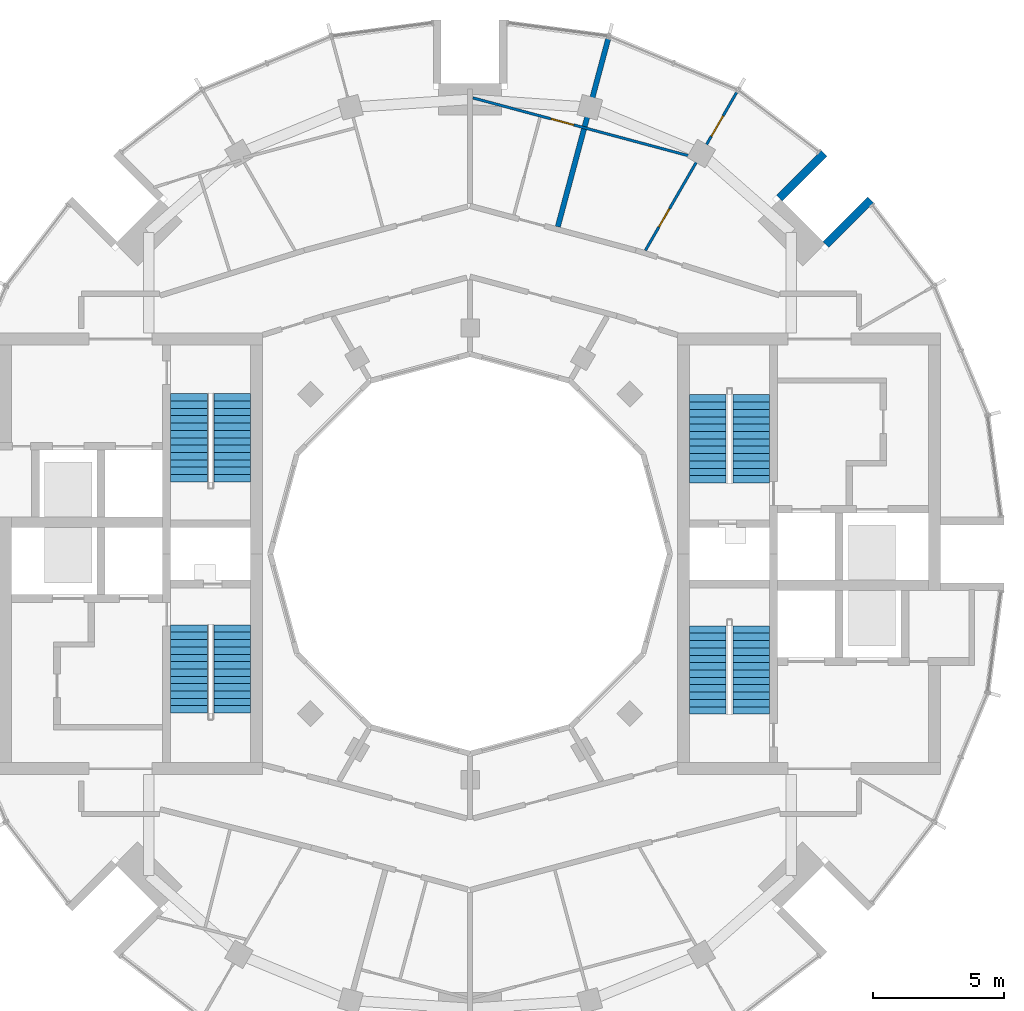
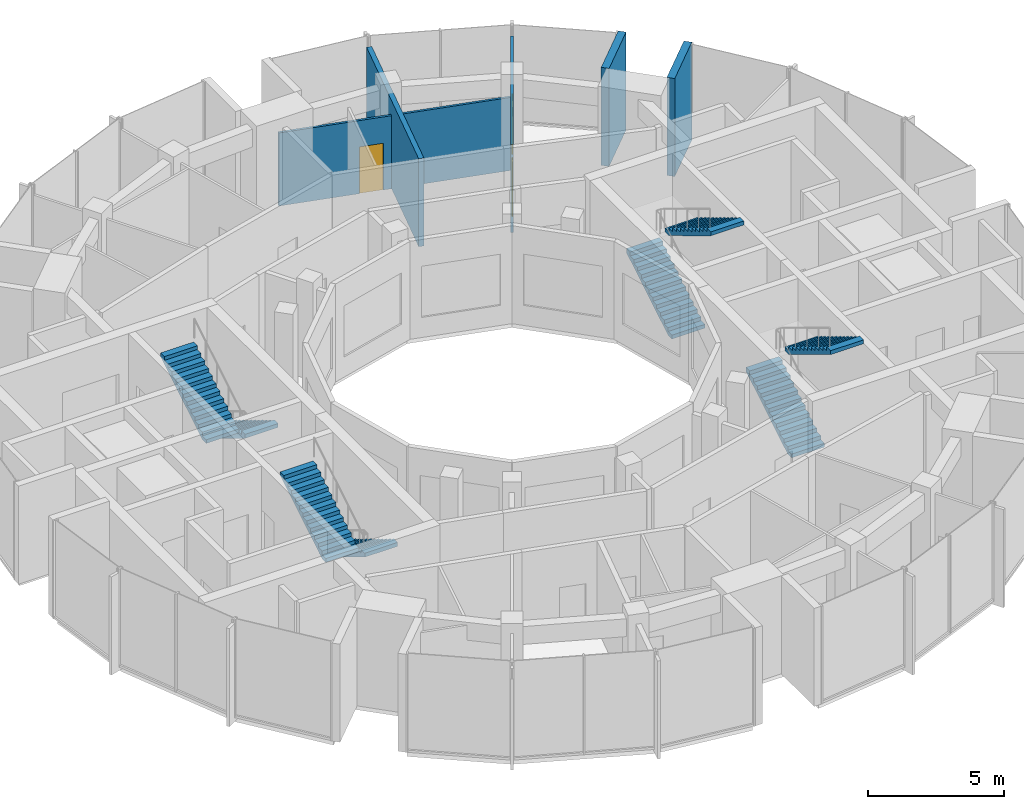
# One storey, part 11 of 13: 8 stair flights, 5 walls, 3 doors, 3 openings, 4 elements without a shape of their own.
"""IFC4 building model written with IfcOpenShell, lengths in metres."""

from ifc_helpers import new_model, si_unit, direction, frame, frame_2d, origin, place, context, subcontext, project, spatial, polyline, rectangle, outline, extrude, material, layer, layer_set, type_object, element, fill, aggregate, save


model = new_model("IFC4")

# Units and contexts
model_context = context("Model", 3, precision=1e-05, world=origin(), true_north=direction((0.0, 1.0)))
body_context = subcontext(model_context, "Body", "Model", "MODEL_VIEW")
ifc_project = project(units=[si_unit("LENGTHUNIT", "METRE"), si_unit("AREAUNIT", "SQUARE_METRE"), si_unit("VOLUMEUNIT", "CUBIC_METRE"), si_unit("PLANEANGLEUNIT", "RADIAN"), si_unit("MASSUNIT", "GRAM", prefix="KILO")], contexts=[model_context])

# Site, building, storey
site_placement = place(None, origin())
site = spatial("IfcSite", under=ifc_project, at=site_placement, CompositionType="ELEMENT")
building_placement = place(site_placement, origin())
building = spatial("IfcBuilding", under=site, at=building_placement, Name="Torre Brocal", CompositionType="ELEMENT")
storey_placement = place(building_placement, frame((0.0, 0.0, 319.300048828125)))
storey = spatial("IfcBuildingStorey", under=building, at=storey_placement, Name="L73", CompositionType="ELEMENT", Elevation=319.300048828125)

# Walls
ifc_material_1 = material(Name="Concrete C50", Category="concrete")
ifc_layer_1 = layer(ifc_material_1, 0.300048828125)
ifc_layer_set_1 = layer_set([ifc_layer_1], Name="Concrete C50")
wall_type_1 = type_object("IfcWallType", Name="NOTCH RETURN WALL 300 C50", PredefinedType="NOTDEFINED", material=ifc_layer_set_1)
for number, where, z_axis, x_axis, name in (
    (1, (93.541015625, 86.7734375, 0.0), (0.0, 0.0, 1.0), (0.707157312274, 0.707056246487, 0.0), "NOTCH RETURN WALL"),
    (2, (91.7734375, 88.541015625, 0.0), (0.0, 0.0, 1.0), (0.707056246487, 0.707157312274, 0.0), "NOTCH RETURN WALL"),
):
    element("IfcWall", number, at=place(storey_placement, frame(where, z_axis=z_axis, x_axis=x_axis)), inside=storey, type_object=wall_type_1, Name=name, PredefinedType="NOTDEFINED", context=body_context, shape_type="SweptSolid", body=[
        extrude(rectangle(XDim=2.415771484375, YDim=0.300048828125, at=frame_2d((1.2080078125, 0.0))), origin(), (0.0, 0.0, 1.0), 4.39990234375),
    ])

# Wall, openings, doors
ifc_material_2 = material(Name="Gypsum board", Category="Gypsum")
ifc_layer_2 = layer(ifc_material_2, 0.10009765625)
ifc_layer_set_2 = layer_set([ifc_layer_2], Name="Gypsum board")
wall_type_2 = type_object("IfcWallType", Name="PARTITION 100", PredefinedType="PARTITIONING", material=ifc_layer_set_2)
wall_1_placement = place(storey_placement, frame((86.6728515625, 86.55322265625, 0.0), z_axis=(0.0, 0.0, 1.0), x_axis=(0.500103298341, 0.865965756245, 0.0)))
wall_1 = element("IfcWall", 3, at=wall_1_placement, inside=storey, type_object=wall_type_2, Name="BATHROOM WALL", PredefinedType="PARTITIONING", context=body_context, shape_type="SweptSolid", body=[
    extrude(rectangle(XDim=6.95458984375, YDim=0.10009765625, at=frame_2d((3.477294921875, 0.0))), origin(), (0.0, 0.0, 1.0), 3.949951171875),
])
opening_1_placement = place(wall_1_placement, frame((5.0146484375, 0.0, 0.0)))
opening_1 = element("IfcOpeningElement", 4, at=opening_1_placement, cuts=wall_1, Name="Opening N05-D02", PredefinedType="OPENING", context=body_context, shape_type="SweptSolid", body=[
    extrude(rectangle(XDim=0.89990234375, YDim=2.10009765625, at=frame_2d((0.449951171875, 1.050048828125))), frame((0.0, 0.06005859375, 0.0), z_axis=(0.0, -1.0, 0.0), x_axis=(1.0, 0.0, 0.0)), (0.0, 0.0, 1.0), 0.1201171875),
])
opening_2_placement = place(wall_1_placement, frame((1.027587890625, 0.0, 0.0)))
opening_2 = element("IfcOpeningElement", 5, at=opening_2_placement, cuts=wall_1, Name="Opening N05-D03", PredefinedType="OPENING", context=body_context, shape_type="SweptSolid", body=[
    extrude(rectangle(XDim=0.800048828125, YDim=2.10009765625, at=frame_2d((0.39990234375, 1.050048828125))), frame((0.0, 0.06005859375, 0.0), z_axis=(0.0, -1.0, 0.0), x_axis=(1.0, 0.0, 0.0)), (0.0, 0.0, 1.0), 0.1201171875),
])
ifc_material_3 = material(Name="Timber", Category="wood")
door_type_1 = type_object("IfcDoorType", Name="BATHROOM DOOR 800X2100", OperationType="SINGLE_SWING_LEFT", PredefinedType="DOOR", material=ifc_material_3)
door_1_placement = place(opening_2_placement, origin())
door_1 = element("IfcDoor", 6, at=door_1_placement, inside=storey, type_object=door_type_1, Name="N05-D03", OperationType="SINGLE_SWING_LEFT", OverallHeight=2.10009765625, OverallWidth=0.800048828125, PredefinedType="DOOR", context=body_context, shape_type="SweptSolid", body=[
    extrude(rectangle(XDim=0.800048828125, YDim=2.10009765625, at=frame_2d((0.39990234375, 1.050048828125))), frame((0.0, 0.02490234375, 0.0), z_axis=(0.0, -1.0, 0.0), x_axis=(1.0, 0.0, 0.0)), (0.0, 0.0, 1.0), 0.050048828125),
])
fill(opening_2, door_1)
ifc_material_4 = material(Name="Timber", Category="wood")
door_type_2 = type_object("IfcDoorType", Name="ROOM DOOR 900X2100", OperationType="SINGLE_SWING_LEFT", PredefinedType="DOOR", material=ifc_material_4)
door_2_placement = place(opening_1_placement, origin())
door_2 = element("IfcDoor", 7, at=door_2_placement, inside=storey, type_object=door_type_2, Name="N05-D02", OperationType="SINGLE_SWING_LEFT", OverallHeight=2.10009765625, OverallWidth=0.89990234375, PredefinedType="DOOR", context=body_context, shape_type="SweptSolid", body=[
    extrude(rectangle(XDim=0.89990234375, YDim=2.10009765625, at=frame_2d((0.449951171875, 1.050048828125))), frame((0.0, 0.02490234375, 0.0), z_axis=(0.0, -1.0, 0.0), x_axis=(1.0, 0.0, 0.0)), (0.0, 0.0, 1.0), 0.050048828125),
])
fill(opening_1, door_2)

# Wall, opening, door
ifc_material_5 = material(Name="Gypsum board", Category="Gypsum")
ifc_layer_3 = layer(ifc_material_5, 0.10009765625)
ifc_layer_set_3 = layer_set([ifc_layer_3], Name="Gypsum board")
wall_type_3 = type_object("IfcWallType", Name="PARTITION 100 UNDER BEAM 1120", PredefinedType="PARTITIONING", material=ifc_layer_set_3)
wall_2_placement = place(storey_placement, frame((80.106201171875, 92.358642578125, 0.0), z_axis=(0.0, 0.0, 1.0), x_axis=(0.965889909151, -0.258953052501, 0.0)))
wall_2 = element("IfcWall", 8, at=wall_2_placement, inside=storey, type_object=wall_type_3, Name="BATHROOM WALL", PredefinedType="PARTITIONING", context=body_context, shape_type="SweptSolid", body=[
    extrude(rectangle(XDim=8.830322265625, YDim=0.10009765625, at=frame_2d((4.4150390625, 0.0))), origin(), (0.0, 0.0, 1.0), 3.280029296875),
])
opening_3_placement = place(wall_2_placement, frame((3.076416015625, 0.0, 0.0)))
opening_3 = element("IfcOpeningElement", 9, at=opening_3_placement, cuts=wall_2, Name="Opening N05-D05", PredefinedType="OPENING", context=body_context, shape_type="SweptSolid", body=[
    extrude(rectangle(XDim=0.89990234375, YDim=2.10009765625, at=frame_2d((0.449951171875, 1.050048828125))), frame((0.0, 0.06005859375, 0.0), z_axis=(0.0, -1.0, 0.0), x_axis=(1.0, 0.0, 0.0)), (0.0, 0.0, 1.0), 0.1201171875),
])
door_3_placement = place(opening_3_placement, frame((0.89990234375, 0.0, 0.0), z_axis=(0.0, 0.0, 1.0), x_axis=(-1.0, 0.0, 0.0)))
door_3 = element("IfcDoor", 10, at=door_3_placement, inside=storey, type_object=door_type_2, Name="N05-D05", OperationType="SINGLE_SWING_LEFT", OverallHeight=2.10009765625, OverallWidth=0.89990234375, PredefinedType="DOOR", context=body_context, shape_type="SweptSolid", body=[
    extrude(rectangle(XDim=0.89990234375, YDim=2.10009765625, at=frame_2d((0.449951171875, 1.050048828125))), frame((0.0, 0.02490234375, 0.0), z_axis=(0.0, -1.0, 0.0), x_axis=(1.0, 0.0, 0.0)), (0.0, 0.0, 1.0), 0.050048828125),
])
fill(opening_3, door_3)

# Wall
ifc_material_6 = material(Name="Gypsum board", Category="Gypsum")
ifc_layer_4 = layer(ifc_material_6, 0.199951171875)
ifc_layer_set_4 = layer_set([ifc_layer_4], Name="Gypsum board")
wall_type_4 = type_object("IfcWallType", Name="PARTITION 200 EI60", PredefinedType="PARTITIONING", material=ifc_layer_set_4)
wall_3_placement = place(storey_placement, frame((83.33935546875, 87.45458984375, 0.0), z_axis=(0.0, 0.0, 1.0), x_axis=(0.258957498737, 0.965888717114, 0.0)))
element("IfcWall", 11, at=wall_3_placement, inside=storey, type_object=wall_type_4, Name="BATHROOM WALL", PredefinedType="PARTITIONING", context=body_context, shape_type="SweptSolid", body=[
    extrude(rectangle(XDim=7.403564453125, YDim=0.199951171875, at=frame_2d((3.70166015625, 0.0))), origin(), (0.0, 0.0, 1.0), 3.949951171875),
])

# Stair, stair flights
ifc_material_7 = material(Name="Concrete C50", Category="concrete")
stair_type = type_object("IfcStairType", Name="EXIT STAIR", PredefinedType="HALF_TURN_STAIR", material=ifc_material_7)
stair_1_placement = place(storey_placement, origin())
stair_1 = element("IfcStair", 12, at=stair_1_placement, inside=storey, type_object=stair_type, Name="EXIT STAIR ST1", PredefinedType="HALF_TURN_STAIR")
ifc_material_8 = material(Name="Concrete C50", Category="concrete")
ifc_layer_5 = layer(ifc_material_8, 0.14990234375)
ifc_layer_set_5 = layer_set([ifc_layer_5], Name="Concrete C50")
stair_flight_type = type_object("IfcStairFlightType", Name="STAIR FLIGHT", PredefinedType="STRAIGHT", material=ifc_layer_set_5)
stair_flight_1_placement = place(storey_placement, frame((89.050048828125, 77.699951171875, 0.0), z_axis=(0.0, 0.0, 1.0), x_axis=(0.0, 1.0, 0.0)))
stair_flight_1 = element("IfcStairFlight", 13, at=stair_flight_1_placement, type_object=stair_flight_type, Name="ST1 flight 1", NumberOfRisers=13, NumberOfTreads=12, PredefinedType="STRAIGHT", RiserHeight=0.169230769, TreadLength=0.28, context=body_context, shape_type="SweptSolid", body=[
    extrude(outline(polyline([(0.0, 0.0), (0.0, 0.169189453125), (0.280029296875, 0.169189453125), (0.280029296875, 0.33837890625), (0.56005859375, 0.33837890625), (0.56005859375, 0.5078125), (0.840087890625, 0.5078125), (0.840087890625, 0.677001953125), (1.1201171875, 0.677001953125), (1.1201171875, 0.84619140625), (1.39990234375, 0.84619140625), (1.39990234375, 1.015380859375), (1.679931640625, 1.015380859375), (1.679931640625, 1.1845703125), (1.9599609375, 1.1845703125), (1.9599609375, 1.353759765625), (2.239990234375, 1.353759765625), (2.239990234375, 1.523193359375), (2.52001953125, 1.523193359375), (2.52001953125, 1.6923828125), (2.800048828125, 1.6923828125), (2.800048828125, 1.861572265625), (3.080078125, 1.861572265625), (3.080078125, 2.03076171875), (3.360107421875, 2.03076171875), (3.360107421875, 2.199951171875), (3.360107421875, 1.855712890625), (0.289794921875, 0.0), (0.0, 0.0)])), frame((0.0, 0.699951171875, 0.0), z_axis=(0.0, -1.0, 0.0), x_axis=(1.0, 0.0, 0.0)), (0.0, 0.0, 1.0), 1.39990234375),
])
stair_flight_2_placement = place(storey_placement, frame((90.699951171875, 81.06005859375, 2.199951171875), z_axis=(0.0, 0.0, 1.0), x_axis=(0.0, -1.0, 0.0)))
stair_flight_2 = element("IfcStairFlight", 14, at=stair_flight_2_placement, type_object=stair_flight_type, Name="ST1 flight 2", NumberOfRisers=13, NumberOfTreads=12, PredefinedType="STRAIGHT", RiserHeight=0.169230769, TreadLength=0.28, context=body_context, shape_type="SweptSolid", body=[
    extrude(outline(polyline([(0.0, 0.0), (0.0, 0.169189453125), (0.280029296875, 0.169189453125), (0.280029296875, 0.33837890625), (0.56005859375, 0.33837890625), (0.56005859375, 0.5078125), (0.840087890625, 0.5078125), (0.840087890625, 0.677001953125), (1.1201171875, 0.677001953125), (1.1201171875, 0.84619140625), (1.39990234375, 0.84619140625), (1.39990234375, 1.015380859375), (1.679931640625, 1.015380859375), (1.679931640625, 1.1845703125), (1.9599609375, 1.1845703125), (1.9599609375, 1.353759765625), (2.239990234375, 1.353759765625), (2.239990234375, 1.523193359375), (2.52001953125, 1.523193359375), (2.52001953125, 1.6923828125), (2.800048828125, 1.6923828125), (2.800048828125, 1.861572265625), (3.080078125, 1.861572265625), (3.080078125, 2.03076171875), (3.360107421875, 2.03076171875), (3.360107421875, 2.199951171875), (3.360107421875, 1.855712890625), (0.289794921875, 0.0), (0.0, 0.0)])), frame((0.0, 0.699951171875, 0.0), z_axis=(0.0, -1.0, 0.0), x_axis=(1.0, 0.0, 0.0)), (0.0, 0.0, 1.0), 1.39990234375),
])
aggregate(stair_1, [stair_flight_1, stair_flight_2])

stair_2_placement = place(storey_placement, origin())
stair_2 = element("IfcStair", 15, at=stair_2_placement, inside=storey, type_object=stair_type, Name="EXIT STAIR ST2", PredefinedType="HALF_TURN_STAIR")
stair_flight_3_placement = place(storey_placement, frame((89.050048828125, 68.89990234375, 0.0), z_axis=(0.0, 0.0, 1.0), x_axis=(0.0, 1.0, 0.0)))
stair_flight_3 = element("IfcStairFlight", 16, at=stair_flight_3_placement, type_object=stair_flight_type, Name="ST2 flight 1", NumberOfRisers=13, NumberOfTreads=12, PredefinedType="STRAIGHT", RiserHeight=0.169230769, TreadLength=0.28, context=body_context, shape_type="SweptSolid", body=[
    extrude(outline(polyline([(0.0, 0.0), (0.0, 0.169189453125), (0.280029296875, 0.169189453125), (0.280029296875, 0.33837890625), (0.56005859375, 0.33837890625), (0.56005859375, 0.5078125), (0.840087890625, 0.5078125), (0.840087890625, 0.677001953125), (1.1201171875, 0.677001953125), (1.1201171875, 0.84619140625), (1.39990234375, 0.84619140625), (1.39990234375, 1.015380859375), (1.679931640625, 1.015380859375), (1.679931640625, 1.1845703125), (1.9599609375, 1.1845703125), (1.9599609375, 1.353759765625), (2.239990234375, 1.353759765625), (2.239990234375, 1.523193359375), (2.52001953125, 1.523193359375), (2.52001953125, 1.6923828125), (2.800048828125, 1.6923828125), (2.800048828125, 1.861572265625), (3.080078125, 1.861572265625), (3.080078125, 2.03076171875), (3.360107421875, 2.03076171875), (3.360107421875, 2.199951171875), (3.360107421875, 1.855712890625), (0.289794921875, 0.0), (0.0, 0.0)])), frame((0.0, 0.699951171875, 0.0), z_axis=(0.0, -1.0, 0.0), x_axis=(1.0, 0.0, 0.0)), (0.0, 0.0, 1.0), 1.39990234375),
])
stair_flight_4_placement = place(storey_placement, frame((90.699951171875, 72.260009765625, 2.199951171875), z_axis=(0.0, 0.0, 1.0), x_axis=(0.0, -1.0, 0.0)))
stair_flight_4 = element("IfcStairFlight", 17, at=stair_flight_4_placement, type_object=stair_flight_type, Name="ST2 flight 2", NumberOfRisers=13, NumberOfTreads=12, PredefinedType="STRAIGHT", RiserHeight=0.169230769, TreadLength=0.28, context=body_context, shape_type="SweptSolid", body=[
    extrude(outline(polyline([(0.0, 0.0), (0.0, 0.169189453125), (0.280029296875, 0.169189453125), (0.280029296875, 0.33837890625), (0.56005859375, 0.33837890625), (0.56005859375, 0.5078125), (0.840087890625, 0.5078125), (0.840087890625, 0.677001953125), (1.1201171875, 0.677001953125), (1.1201171875, 0.84619140625), (1.39990234375, 0.84619140625), (1.39990234375, 1.015380859375), (1.679931640625, 1.015380859375), (1.679931640625, 1.1845703125), (1.9599609375, 1.1845703125), (1.9599609375, 1.353759765625), (2.239990234375, 1.353759765625), (2.239990234375, 1.523193359375), (2.52001953125, 1.523193359375), (2.52001953125, 1.6923828125), (2.800048828125, 1.6923828125), (2.800048828125, 1.861572265625), (3.080078125, 1.861572265625), (3.080078125, 2.03076171875), (3.360107421875, 2.03076171875), (3.360107421875, 2.199951171875), (3.360107421875, 1.855712890625), (0.289794921875, 0.0), (0.0, 0.0)])), frame((0.0, 0.699951171875, 0.0), z_axis=(0.0, -1.0, 0.0), x_axis=(1.0, 0.0, 0.0)), (0.0, 0.0, 1.0), 1.39990234375),
])
aggregate(stair_2, [stair_flight_3, stair_flight_4])

stair_3_placement = place(storey_placement, origin())
stair_3 = element("IfcStair", 18, at=stair_3_placement, inside=storey, type_object=stair_type, Name="EXIT STAIR ST3", PredefinedType="HALF_TURN_STAIR")
stair_flight_5_placement = place(storey_placement, frame((70.949951171875, 72.300048828125, 0.0), z_axis=(0.0, 0.0, 1.0), x_axis=(0.0, -1.0, 0.0)))
stair_flight_5 = element("IfcStairFlight", 19, at=stair_flight_5_placement, type_object=stair_flight_type, Name="ST3 flight 1", NumberOfRisers=13, NumberOfTreads=12, PredefinedType="STRAIGHT", RiserHeight=0.169230769, TreadLength=0.28, context=body_context, shape_type="SweptSolid", body=[
    extrude(outline(polyline([(0.0, 0.0), (0.0, 0.169189453125), (0.280029296875, 0.169189453125), (0.280029296875, 0.33837890625), (0.56005859375, 0.33837890625), (0.56005859375, 0.5078125), (0.840087890625, 0.5078125), (0.840087890625, 0.677001953125), (1.1201171875, 0.677001953125), (1.1201171875, 0.84619140625), (1.39990234375, 0.84619140625), (1.39990234375, 1.015380859375), (1.679931640625, 1.015380859375), (1.679931640625, 1.1845703125), (1.9599609375, 1.1845703125), (1.9599609375, 1.353759765625), (2.239990234375, 1.353759765625), (2.239990234375, 1.523193359375), (2.52001953125, 1.523193359375), (2.52001953125, 1.6923828125), (2.800048828125, 1.6923828125), (2.800048828125, 1.861572265625), (3.080078125, 1.861572265625), (3.080078125, 2.03076171875), (3.360107421875, 2.03076171875), (3.360107421875, 2.199951171875), (3.360107421875, 1.855712890625), (0.289794921875, 0.0), (0.0, 0.0)])), frame((0.0, 0.699951171875, 0.0), z_axis=(0.0, -1.0, 0.0), x_axis=(1.0, 0.0, 0.0)), (0.0, 0.0, 1.0), 1.39990234375),
])
stair_flight_6_placement = place(storey_placement, frame((69.300048828125, 68.93994140625, 2.199951171875), z_axis=(0.0, 0.0, 1.0), x_axis=(0.0, 1.0, 0.0)))
stair_flight_6 = element("IfcStairFlight", 20, at=stair_flight_6_placement, type_object=stair_flight_type, Name="ST3 flight 2", NumberOfRisers=13, NumberOfTreads=12, PredefinedType="STRAIGHT", RiserHeight=0.169230769, TreadLength=0.28, context=body_context, shape_type="SweptSolid", body=[
    extrude(outline(polyline([(0.0, 0.0), (0.0, 0.169189453125), (0.280029296875, 0.169189453125), (0.280029296875, 0.33837890625), (0.56005859375, 0.33837890625), (0.56005859375, 0.5078125), (0.840087890625, 0.5078125), (0.840087890625, 0.677001953125), (1.1201171875, 0.677001953125), (1.1201171875, 0.84619140625), (1.39990234375, 0.84619140625), (1.39990234375, 1.015380859375), (1.679931640625, 1.015380859375), (1.679931640625, 1.1845703125), (1.9599609375, 1.1845703125), (1.9599609375, 1.353759765625), (2.239990234375, 1.353759765625), (2.239990234375, 1.523193359375), (2.52001953125, 1.523193359375), (2.52001953125, 1.6923828125), (2.800048828125, 1.6923828125), (2.800048828125, 1.861572265625), (3.080078125, 1.861572265625), (3.080078125, 2.03076171875), (3.360107421875, 2.03076171875), (3.360107421875, 2.199951171875), (3.360107421875, 1.855712890625), (0.289794921875, 0.0), (0.0, 0.0)])), frame((0.0, 0.699951171875, 0.0), z_axis=(0.0, -1.0, 0.0), x_axis=(1.0, 0.0, 0.0)), (0.0, 0.0, 1.0), 1.39990234375),
])
aggregate(stair_3, [stair_flight_5, stair_flight_6])

stair_4_placement = place(storey_placement, origin())
stair_4 = element("IfcStair", 21, at=stair_4_placement, inside=storey, type_object=stair_type, Name="EXIT STAIR ST4", PredefinedType="HALF_TURN_STAIR")
stair_flight_7_placement = place(storey_placement, frame((70.949951171875, 81.10009765625, 0.0), z_axis=(0.0, 0.0, 1.0), x_axis=(0.0, -1.0, 0.0)))
stair_flight_7 = element("IfcStairFlight", 22, at=stair_flight_7_placement, type_object=stair_flight_type, Name="ST4 flight 1", NumberOfRisers=13, NumberOfTreads=12, PredefinedType="STRAIGHT", RiserHeight=0.169230769, TreadLength=0.28, context=body_context, shape_type="SweptSolid", body=[
    extrude(outline(polyline([(0.0, 0.0), (0.0, 0.169189453125), (0.280029296875, 0.169189453125), (0.280029296875, 0.33837890625), (0.56005859375, 0.33837890625), (0.56005859375, 0.5078125), (0.840087890625, 0.5078125), (0.840087890625, 0.677001953125), (1.1201171875, 0.677001953125), (1.1201171875, 0.84619140625), (1.39990234375, 0.84619140625), (1.39990234375, 1.015380859375), (1.679931640625, 1.015380859375), (1.679931640625, 1.1845703125), (1.9599609375, 1.1845703125), (1.9599609375, 1.353759765625), (2.239990234375, 1.353759765625), (2.239990234375, 1.523193359375), (2.52001953125, 1.523193359375), (2.52001953125, 1.6923828125), (2.800048828125, 1.6923828125), (2.800048828125, 1.861572265625), (3.080078125, 1.861572265625), (3.080078125, 2.03076171875), (3.360107421875, 2.03076171875), (3.360107421875, 2.199951171875), (3.360107421875, 1.855712890625), (0.289794921875, 0.0), (0.0, 0.0)])), frame((0.0, 0.699951171875, 0.0), z_axis=(0.0, -1.0, 0.0), x_axis=(1.0, 0.0, 0.0)), (0.0, 0.0, 1.0), 1.39990234375),
])
stair_flight_8_placement = place(storey_placement, frame((69.300048828125, 77.739990234375, 2.199951171875), z_axis=(0.0, 0.0, 1.0), x_axis=(0.0, 1.0, 0.0)))
stair_flight_8 = element("IfcStairFlight", 23, at=stair_flight_8_placement, type_object=stair_flight_type, Name="ST4 flight 2", NumberOfRisers=13, NumberOfTreads=12, PredefinedType="STRAIGHT", RiserHeight=0.169230769, TreadLength=0.28, context=body_context, shape_type="SweptSolid", body=[
    extrude(outline(polyline([(0.0, 0.0), (0.0, 0.169189453125), (0.280029296875, 0.169189453125), (0.280029296875, 0.33837890625), (0.56005859375, 0.33837890625), (0.56005859375, 0.5078125), (0.840087890625, 0.5078125), (0.840087890625, 0.677001953125), (1.1201171875, 0.677001953125), (1.1201171875, 0.84619140625), (1.39990234375, 0.84619140625), (1.39990234375, 1.015380859375), (1.679931640625, 1.015380859375), (1.679931640625, 1.1845703125), (1.9599609375, 1.1845703125), (1.9599609375, 1.353759765625), (2.239990234375, 1.353759765625), (2.239990234375, 1.523193359375), (2.52001953125, 1.523193359375), (2.52001953125, 1.6923828125), (2.800048828125, 1.6923828125), (2.800048828125, 1.861572265625), (3.080078125, 1.861572265625), (3.080078125, 2.03076171875), (3.360107421875, 2.03076171875), (3.360107421875, 2.199951171875), (3.360107421875, 1.855712890625), (0.289794921875, 0.0), (0.0, 0.0)])), frame((0.0, 0.699951171875, 0.0), z_axis=(0.0, -1.0, 0.0), x_axis=(1.0, 0.0, 0.0)), (0.0, 0.0, 1.0), 1.39990234375),
])
aggregate(stair_4, [stair_flight_7, stair_flight_8])

save(model, "model.ifc")
